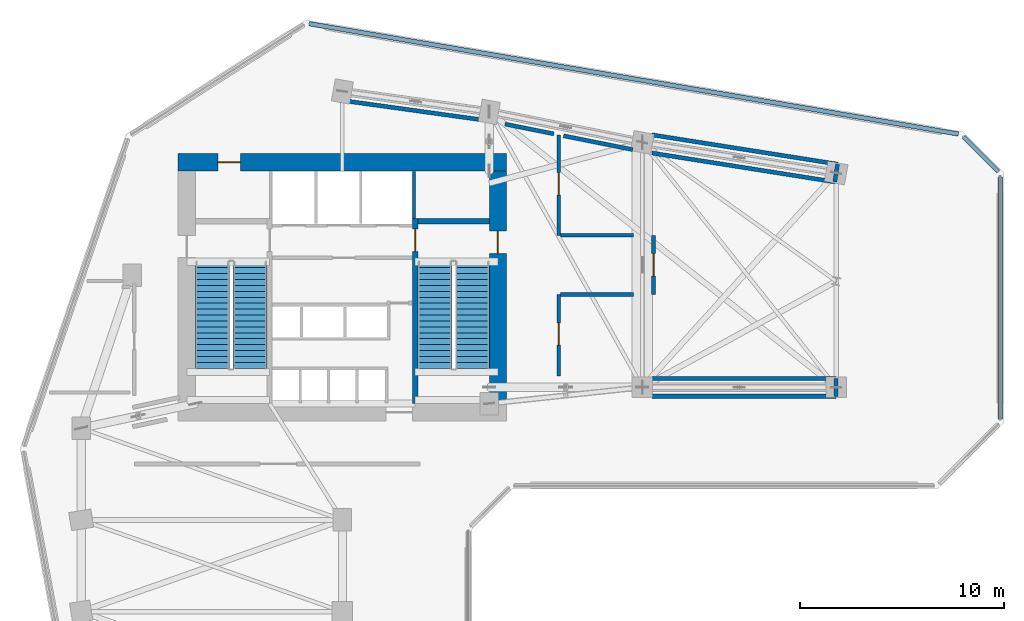
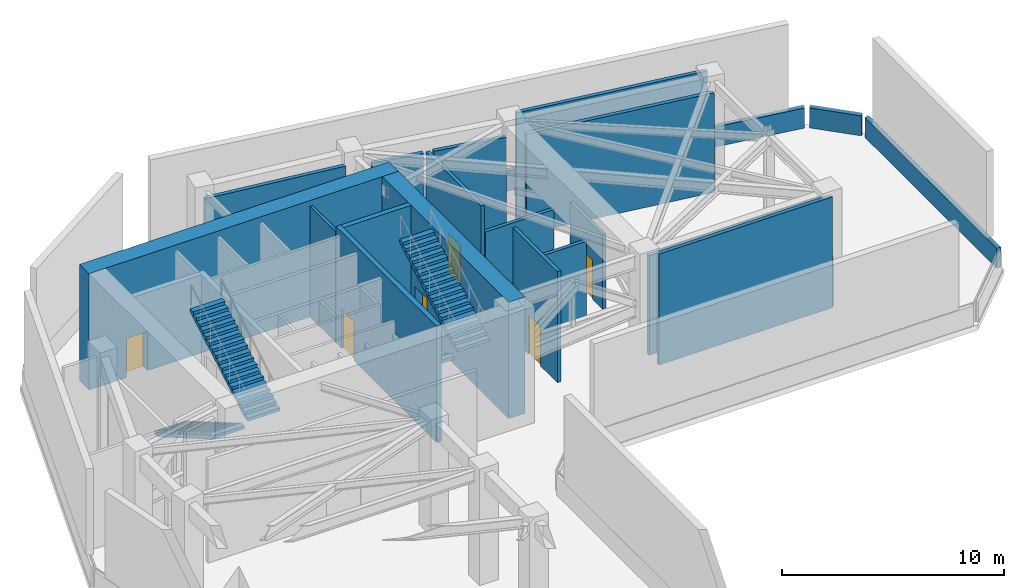
# One storey, part 7 of 10: 22 walls, 6 doors, 4 stair flights, 6 openings, 2 elements without a shape of their own.
"""IFC4 building model written with IfcOpenShell, lengths in metres."""

from ifc_helpers import new_model, si_unit, direction, frame, frame_2d, origin, place, context, subcontext, project, spatial, polyline, rectangle, outline, extrude, source, transform, mapped, material, layer, layer_set, type_object, element, fill, aggregate, save


model = new_model("IFC4")

# Units and contexts
model_context = context("Model", 3, precision=1e-05, world=origin(), true_north=direction((0.0, 1.0)))
body_context = subcontext(model_context, "Body", "Model", "MODEL_VIEW")
ifc_project = project(units=[si_unit("LENGTHUNIT", "METRE"), si_unit("AREAUNIT", "SQUARE_METRE"), si_unit("VOLUMEUNIT", "CUBIC_METRE"), si_unit("PLANEANGLEUNIT", "RADIAN"), si_unit("MASSUNIT", "GRAM", prefix="KILO")], contexts=[model_context])

# Site, building, storey
site_placement = place(None, origin())
site = spatial("IfcSite", under=ifc_project, at=site_placement, CompositionType="ELEMENT")
building_placement = place(site_placement, origin())
building = spatial("IfcBuilding", under=site, at=building_placement, Name="Calvemar Wedge Station Tower", CompositionType="ELEMENT")
storey_placement = place(building_placement, frame((0.0, 0.0, 99.0)))
storey = spatial("IfcBuildingStorey", under=building, at=storey_placement, Name="L24", CompositionType="ELEMENT", Elevation=99.0)

# Wall, opening, door
ifc_material_1 = material(Name="Concrete C50", Category="concrete")
ifc_layer_1 = layer(ifc_material_1, 0.260009765625)
ifc_layer_set_1 = layer_set([ifc_layer_1], Name="Concrete C50")
wall_type_1 = type_object("IfcWallType", Name="SW-CORE-260", PredefinedType="SHEAR", material=ifc_layer_set_1)
wall_1_placement = place(storey_placement, frame((27.3701171875, 34.199951171875, 0.0), z_axis=(0.0, 0.0, 1.0), x_axis=(0.0, 1.0, 0.0)))
wall_1 = element("IfcWall", 1, at=wall_1_placement, inside=storey, type_object=wall_type_1, Name="Storey L24 Core Shear Wall SPINE-E", PredefinedType="SHEAR", context=body_context, shape_type="SweptSolid", body=[
    extrude(rectangle(XDim=9.06005859375, YDim=0.260009765625, at=frame_2d((4.530029296875, 0.0))), origin(), (0.0, 0.0, 1.0), 6.39990234375),
])
shared_shape_1 = source(origin(), body_context, "Body", "SweptSolid", [
    extrude(rectangle(XDim=1.10009765625, YDim=2.14990234375, at=frame_2d((0.550048828125, 1.074951171875))), frame((0.0, 0.14013671875, 0.0), z_axis=(0.0, -1.0, 0.0), x_axis=(1.0, 0.0, 0.0)), (0.0, 0.0, 1.0), 0.280029296875),
])
opening_1_placement = place(wall_1_placement, frame((7.449951171875, 0.0, 0.0)))
opening_1 = element("IfcOpeningElement", 2, at=opening_1_placement, cuts=wall_1, Name="Opening FD-90", PredefinedType="OPENING", context=body_context, shape_type="MappedRepresentation", body=[
    mapped(shared_shape_1, transform((0.0, 0.0, 0.0), scale=1.0)),
])
ifc_material_2 = material(Name="Galvanized fire-rated steel door leaf P-90", Category="steel")
door_type = type_object("IfcDoorType", Name="DR-FD90-1100", OperationType="NOTDEFINED", PredefinedType="DOOR", material=ifc_material_2)
shared_shape_2 = source(origin(), body_context, "Body", "SweptSolid", [
    extrude(rectangle(XDim=1.10009765625, YDim=2.14990234375, at=frame_2d((0.550048828125, 1.074951171875))), frame((0.0, 0.02490234375, 0.0), z_axis=(0.0, -1.0, 0.0), x_axis=(1.0, 0.0, 0.0)), (0.0, 0.0, 1.0), 0.050048828125),
])
door_1_placement = place(opening_1_placement, origin())
door_1 = element("IfcDoor", 3, at=door_1_placement, inside=storey, type_object=door_type, Name="L24 FF Lobby to Stair ST-C2 Door", OperationType="SINGLE_SWING_LEFT", OverallHeight=2.14990234375, OverallWidth=1.10009765625, PredefinedType="DOOR", context=body_context, shape_type="MappedRepresentation", body=[
    mapped(shared_shape_2, transform((0.0, 0.0, 0.0), scale=1.0)),
])
fill(opening_1, door_1)

# Wall
wall_2_placement = place(storey_placement, frame((27.5, 43.1298828125, 0.0), z_axis=(0.0, 0.0, 1.0), x_axis=(1.0, 0.0, 0.0)))
element("IfcWall", 4, at=wall_2_placement, inside=storey, type_object=wall_type_1, Name="Storey L24 Core Shear Wall STC2-N", PredefinedType="SHEAR", context=body_context, shape_type="SweptSolid", body=[
    extrude(rectangle(XDim=3.5, YDim=0.260009765625, at=frame_2d((1.75, 0.0))), origin(), (0.0, 0.0, 1.0), 6.39990234375),
])

# Wall, opening, door
ifc_material_3 = material(Name="Concrete C80", Category="concrete")
ifc_layer_2 = layer(ifc_material_3, 0.85009765625)
ifc_layer_set_2 = layer_set([ifc_layer_2], Name="Concrete C80")
wall_type_2 = type_object("IfcWallType", Name="SW-CORE-850", PredefinedType="SHEAR", material=ifc_layer_set_2)
wall_3_placement = place(storey_placement, frame((15.75, 46.02490234375, 0.0), z_axis=(0.0, 0.0, 1.0), x_axis=(1.0, 0.0, 0.0)))
wall_3 = element("IfcWall", 5, at=wall_3_placement, inside=storey, type_object=wall_type_2, Name="Storey L24 Core Shear Wall N", PredefinedType="SHEAR", context=body_context, shape_type="SweptSolid", body=[
    extrude(rectangle(XDim=16.10009765625, YDim=0.85009765625, at=frame_2d((8.050048828125, 0.0))), origin(), (0.0, 0.0, 1.0), 6.39990234375),
])
shared_shape_3 = source(origin(), body_context, "Body", "SweptSolid", [
    extrude(rectangle(XDim=1.10009765625, YDim=2.14990234375, at=frame_2d((0.550048828125, 1.074951171875))), frame((0.0, 0.43505859375, 0.0), z_axis=(0.0, -1.0, 0.0), x_axis=(1.0, 0.0, 0.0)), (0.0, 0.0, 1.0), 0.8701171875),
])
opening_2_placement = place(wall_3_placement, frame((1.949951171875, 0.0, 0.0)))
opening_2 = element("IfcOpeningElement", 6, at=opening_2_placement, cuts=wall_3, Name="Opening FD-90", PredefinedType="OPENING", context=body_context, shape_type="MappedRepresentation", body=[
    mapped(shared_shape_3, transform((0.0, 0.0, 0.0), scale=1.0)),
])
door_2_placement = place(opening_2_placement, origin())
door_2 = element("IfcDoor", 7, at=door_2_placement, inside=storey, type_object=door_type, Name="L24 North Corridor to Firefighting Lobby Door", OperationType="SINGLE_SWING_RIGHT", OverallHeight=2.14990234375, OverallWidth=1.10009765625, PredefinedType="DOOR", context=body_context, shape_type="MappedRepresentation", body=[
    mapped(shared_shape_2, transform((0.0, 0.0, 0.0), scale=1.0)),
])
fill(opening_2, door_2)

wall_4_placement = place(storey_placement, frame((31.425048828125, 34.199951171875, 0.0), z_axis=(0.0, 0.0, 1.0), x_axis=(0.0, 1.0, 0.0)))
wall_4 = element("IfcWall", 8, at=wall_4_placement, inside=storey, type_object=wall_type_2, Name="Storey L24 Core Shear Wall E", PredefinedType="SHEAR", context=body_context, shape_type="SweptSolid", body=[
    extrude(rectangle(XDim=11.400146484375, YDim=0.85009765625, at=frame_2d((5.7001953125, 0.0))), origin(), (0.0, 0.0, 1.0), 6.39990234375),
])
opening_3_placement = place(wall_4_placement, frame((7.35009765625, 0.0, 0.0)))
opening_3 = element("IfcOpeningElement", 9, at=opening_3_placement, cuts=wall_4, Name="Opening FD-90", PredefinedType="OPENING", context=body_context, shape_type="MappedRepresentation", body=[
    mapped(shared_shape_3, transform((0.0, 0.0, 0.0), scale=1.0)),
])
door_3_placement = place(opening_3_placement, origin())
door_3 = element("IfcDoor", 10, at=door_3_placement, inside=storey, type_object=door_type, Name="L24 East Corridor to Exit Stair ST-C2 Door", OperationType="SINGLE_SWING_LEFT", OverallHeight=2.14990234375, OverallWidth=1.10009765625, PredefinedType="DOOR", context=body_context, shape_type="MappedRepresentation", body=[
    mapped(shared_shape_2, transform((0.0, 0.0, 0.0), scale=1.0)),
])
fill(opening_3, door_3)

ifc_material_4 = material(Name="Double-stud fire-rated corridor partition")
ifc_layer_3 = layer(ifc_material_4, 0.179931640625)
ifc_layer_set_3 = layer_set([ifc_layer_3], Name="Double-stud fire-rated corridor partition")
wall_type_3 = type_object("IfcWallType", Name="W-CORR-180", PredefinedType="PARTITIONING", material=ifc_layer_set_3)
wall_5_placement = place(storey_placement, frame((34.39990234375, 47.371337890625, 0.0), z_axis=(0.0, 0.0, 1.0), x_axis=(0.0, -1.0, 0.0)))
wall_5 = element("IfcWall", 11, at=wall_5_placement, inside=storey, type_object=wall_type_3, Name="Storey L24 Interior Partition WL-L24-005", PredefinedType="PARTITIONING", context=body_context, shape_type="SweptSolid", body=[
    extrude(rectangle(XDim=4.92138671875, YDim=0.179931640625, at=frame_2d((2.460693359375, 0.0))), origin(), (0.0, 0.0, 1.0), 5.5380859375),
])
shared_shape_4 = source(origin(), body_context, "Body", "SweptSolid", [
    extrude(rectangle(XDim=1.10009765625, YDim=2.14990234375, at=frame_2d((0.550048828125, 1.074951171875))), frame((0.0, 0.10009765625, 0.0), z_axis=(0.0, -1.0, 0.0), x_axis=(1.0, 0.0, 0.0)), (0.0, 0.0, 1.0), 0.199951171875),
])
opening_4_placement = place(wall_5_placement, frame((1.850341796875, 0.0, 0.0)))
opening_4 = element("IfcOpeningElement", 12, at=opening_4_placement, cuts=wall_5, Name="Opening FD-90", PredefinedType="OPENING", context=body_context, shape_type="MappedRepresentation", body=[
    mapped(shared_shape_4, transform((0.0, 0.0, 0.0), scale=1.0)),
])
door_4_placement = place(opening_4_placement, origin())
door_4 = element("IfcDoor", 13, at=door_4_placement, inside=storey, type_object=door_type, Name="L24 Intermediate Booster Pump Room Door", OperationType="SINGLE_SWING_RIGHT", OverallHeight=2.14990234375, OverallWidth=1.10009765625, PredefinedType="DOOR", context=body_context, shape_type="MappedRepresentation", body=[
    mapped(shared_shape_2, transform((0.0, 0.0, 0.0), scale=1.0)),
])
fill(opening_4, door_4)

# Wall
wall_6_placement = place(storey_placement, frame((34.493896484375, 42.449951171875, 0.0), z_axis=(0.0, 0.0, 1.0), x_axis=(1.0, 0.0, 0.0)))
element("IfcWall", 14, at=wall_6_placement, inside=storey, type_object=wall_type_3, Name="Storey L24 Interior Partition WL-L24-006", PredefinedType="PARTITIONING", context=body_context, shape_type="SweptSolid", body=[
    extrude(rectangle(XDim=3.580810546875, YDim=0.179931640625, at=frame_2d((1.79052734375, 0.0))), origin(), (0.0, 0.0, 1.0), 4.092041015625),
])

# Wall, opening, door
wall_7_placement = place(storey_placement, frame((34.39990234375, 39.550048828125, 0.0), z_axis=(0.0, 0.0, 1.0), x_axis=(0.0, -1.0, 0.0)))
wall_7 = element("IfcWall", 15, at=wall_7_placement, inside=storey, type_object=wall_type_3, Name="Storey L24 Interior Partition WL-L24-007", PredefinedType="PARTITIONING", context=body_context, shape_type="SweptSolid", body=[
    extrude(rectangle(XDim=4.0, YDim=0.179931640625, at=frame_2d((2.0, 0.0))), origin(), (0.0, 0.0, 1.0), 6.10009765625),
])
opening_5_placement = place(wall_7_placement, frame((1.388427734375, 0.0, 0.0)))
opening_5 = element("IfcOpeningElement", 16, at=opening_5_placement, cuts=wall_7, Name="Opening FD-90", PredefinedType="OPENING", context=body_context, shape_type="MappedRepresentation", body=[
    mapped(shared_shape_4, transform((0.0, 0.0, 0.0), scale=1.0)),
])
door_5_placement = place(opening_5_placement, origin())
door_5 = element("IfcDoor", 17, at=door_5_placement, inside=storey, type_object=door_type, Name="L24 Zone Electrical Substation Door", OperationType="SINGLE_SWING_LEFT", OverallHeight=2.14990234375, OverallWidth=1.10009765625, PredefinedType="DOOR", context=body_context, shape_type="MappedRepresentation", body=[
    mapped(shared_shape_2, transform((0.0, 0.0, 0.0), scale=1.0)),
])
fill(opening_5, door_5)

# Wall
wall_8_placement = place(storey_placement, frame((38.07470703125, 39.550048828125, 0.0), z_axis=(0.0, 0.0, 1.0), x_axis=(-1.0, 0.0, 0.0)))
element("IfcWall", 18, at=wall_8_placement, inside=storey, type_object=wall_type_3, Name="Storey L24 Interior Partition WL-L24-008", PredefinedType="PARTITIONING", context=body_context, shape_type="SweptSolid", body=[
    extrude(rectangle(XDim=3.580810546875, YDim=0.179931640625, at=frame_2d((1.79052734375, 0.0))), origin(), (0.0, 0.0, 1.0), 4.092041015625),
])

# Wall, opening, door
wall_9_placement = place(storey_placement, frame((39.050048828125, 42.449951171875, 0.0), z_axis=(0.0, 0.0, 1.0), x_axis=(0.0, -1.0, 0.0)))
wall_9 = element("IfcWall", 19, at=wall_9_placement, inside=storey, type_object=wall_type_3, Name="Storey L24 Interior Partition WL-L24-009", PredefinedType="PARTITIONING", context=body_context, shape_type="SweptSolid", body=[
    extrude(rectangle(XDim=2.89990234375, YDim=0.179931640625, at=frame_2d((1.449951171875, 0.0))), origin(), (0.0, 0.0, 1.0), 4.092041015625),
])
opening_6_placement = place(wall_9_placement, frame((0.89990234375, 0.0, 0.0)))
opening_6 = element("IfcOpeningElement", 20, at=opening_6_placement, cuts=wall_9, Name="Opening FD-90", PredefinedType="OPENING", context=body_context, shape_type="MappedRepresentation", body=[
    mapped(shared_shape_4, transform((0.0, 0.0, 0.0), scale=1.0)),
])
door_6_placement = place(opening_6_placement, origin())
door_6 = element("IfcDoor", 21, at=door_6_placement, inside=storey, type_object=door_type, Name="L24 Zone Air Handling Plant Room Door", OperationType="SINGLE_SWING_RIGHT", OverallHeight=2.14990234375, OverallWidth=1.10009765625, PredefinedType="DOOR", context=body_context, shape_type="MappedRepresentation", body=[
    mapped(shared_shape_2, transform((0.0, 0.0, 0.0), scale=1.0)),
])
fill(opening_6, door_6)

# Walls
ifc_material_5 = material(Name="Reinforced concrete blockwork lift shaft wall", Category="masonry")
ifc_layer_4 = layer(ifc_material_5, 0.139892578125)
ifc_layer_set_4 = layer_set([ifc_layer_4], Name="Reinforced concrete blockwork lift shaft wall")
wall_type_4 = type_object("IfcWallType", Name="W-LIFT-160", PredefinedType="SOLIDWALL", material=ifc_layer_set_4)
wall_10_placement = place(storey_placement, frame((27.31005859375, 43.280029296875, 0.0), z_axis=(0.0, 0.0, 1.0), x_axis=(0.0, 1.0, 0.0)))
element("IfcWall", 22, at=wall_10_placement, inside=storey, type_object=wall_type_4, Name="Storey L24 Firefighting Lift Shaft Enclosure Wall E", PredefinedType="SOLIDWALL", context=body_context, shape_type="SweptSolid", body=[
    extrude(rectangle(XDim=2.300048828125, YDim=0.139892578125, at=frame_2d((1.14990234375, 0.0))), origin(), (0.0, 0.0, 1.0), 6.10009765625),
])
ifc_material_6 = material(Name="Precast concrete C45", Category="concrete")
ifc_layer_5 = layer(ifc_material_6, 0.219970703125)
ifc_layer_set_5 = layer_set([ifc_layer_5], Name="Precast concrete C45")
wall_type_5 = type_object("IfcWallType", Name="W-PARA-220", PredefinedType="PARAPET", material=ifc_layer_set_5)
wall_11_placement = place(storey_placement, frame((56.050048828125, 33.440185546875, 0.0), z_axis=(0.0, 0.0, 1.0), x_axis=(0.0, 1.0, 0.0)))
element("IfcWall", 23, at=wall_11_placement, inside=storey, type_object=wall_type_5, Name="Wind Floor L24 Acoustic Curb Wall 8", PredefinedType="PARAPET", context=body_context, shape_type="SweptSolid", body=[
    extrude(rectangle(XDim=11.875732421875, YDim=0.219970703125, at=frame_2d((5.93798828125, 0.0))), origin(), (0.0, 0.0, 1.0), 1.10009765625),
])
wall_12_placement = place(storey_placement, frame((55.94384765625, 45.572021484375, 0.0), z_axis=(0.0, 0.0, 1.0), x_axis=(-0.707106781187, 0.707106781187, 0.0)))
element("IfcWall", 24, at=wall_12_placement, inside=storey, type_object=wall_type_5, Name="Wind Floor L24 Acoustic Curb Wall 9", PredefinedType="PARAPET", context=body_context, shape_type="SweptSolid", body=[
    extrude(rectangle(XDim=2.418212890625, YDim=0.219970703125, at=frame_2d((1.208984375, 0.0))), origin(), (0.0, 0.0, 1.0), 1.10009765625),
])
wall_13_placement = place(storey_placement, frame((53.97998046875, 47.413330078125, 0.0), z_axis=(0.0, 0.0, 1.0), x_axis=(-0.985866074369, 0.167535319884, 0.0)))
element("IfcWall", 25, at=wall_13_placement, inside=storey, type_object=wall_type_5, Name="Wind Floor L24 Acoustic Curb Wall 10", PredefinedType="PARAPET", context=body_context, shape_type="SweptSolid", body=[
    extrude(rectangle(XDim=32.256103515625, YDim=0.219970703125, at=frame_2d((16.1279296875, 0.0))), origin(), (0.0, 0.0, 1.0), 1.10009765625),
])
ifc_material_7 = material(Name="Concrete blockwork and fireboard shaft wall", Category="masonry")
ifc_layer_6 = layer(ifc_material_7, 0.199951171875)
ifc_layer_set_6 = layer_set([ifc_layer_6], Name="Concrete blockwork and fireboard shaft wall")
wall_type_6 = type_object("IfcWallType", Name="W-SHAFT-200", PredefinedType="SOLIDWALL", material=ifc_layer_set_6)
wall_14_placement = place(storey_placement, frame((30.530029296875, 48.12109375, 0.0), z_axis=(0.0, 0.0, 1.0), x_axis=(-0.990492542754, 0.137566430311, 0.0)))
element("IfcWall", 26, at=wall_14_placement, inside=storey, type_object=wall_type_6, Name="Storey L24 Fire-Rated Truss Casing Wall WL-L24-015", PredefinedType="SOLIDWALL", context=body_context, shape_type="SweptSolid", body=[
    extrude(rectangle(XDim=6.855712890625, YDim=0.199951171875, at=frame_2d((3.427734375, 0.0))), origin(), (0.0, 0.0, 1.0), 5.68505859375),
])
wall_15_placement = place(storey_placement, frame((38.030029296875, 46.645263671875, 0.0), z_axis=(0.0, 0.0, 1.0), x_axis=(-0.980583391624, 0.196102554986, 0.0)))
element("IfcWall", 27, at=wall_15_placement, inside=storey, type_object=wall_type_6, Name="Storey L24 Fire-Rated Truss Casing Wall WL-L24-016", PredefinedType="SOLIDWALL", context=body_context, shape_type="SweptSolid", body=[
    extrude(rectangle(XDim=3.457275390625, YDim=0.199951171875, at=frame_2d((1.728515625, 0.0))), origin(), (0.0, 0.0, 1.0), 5.5380859375),
])
wall_16_placement = place(storey_placement, frame((34.164794921875, 47.41845703125, 0.0), z_axis=(0.0, 0.0, 1.0), x_axis=(-0.980592215894, 0.196058425293, 0.0)))
element("IfcWall", 28, at=wall_16_placement, inside=storey, type_object=wall_type_6, Name="Storey L24 Fire-Rated Truss Casing Wall WL-L24-017", PredefinedType="SOLIDWALL", context=body_context, shape_type="SweptSolid", body=[
    extrude(rectangle(XDim=2.440673828125, YDim=0.199951171875, at=frame_2d((1.22021484375, 0.0))), origin(), (0.0, 0.0, 1.0), 5.5380859375),
])
wall_17_placement = place(storey_placement, frame((48.068603515625, 45.9345703125, 0.0), z_axis=(0.0, 0.0, 1.0), x_axis=(-0.155934077232, -0.987767464314, 0.0)))
element("IfcWall", 29, at=wall_17_placement, inside=storey, type_object=wall_type_6, Name="Storey L24 Fire-Rated Truss Casing Wall WL-L24-018", PredefinedType="SOLIDWALL", context=body_context, shape_type="SweptSolid", body=[
    extrude(rectangle(XDim=0.8798828125, YDim=0.199951171875, at=frame_2d((0.43994140625, 0.0))), origin(), (0.0, 0.0, 1.0), 2.741943359375),
])
wall_18_placement = place(storey_placement, frame((47.931396484375, 45.0654296875, 0.0), z_axis=(0.0, 0.0, 1.0), x_axis=(-0.987762528886, 0.15596533759, 0.0)))
element("IfcWall", 30, at=wall_18_placement, inside=storey, type_object=wall_type_6, Name="Storey L24 Fire-Rated Truss Casing Wall WL-L24-019", PredefinedType="SOLIDWALL", context=body_context, shape_type="SweptSolid", body=[
    extrude(rectangle(XDim=9.0712890625, YDim=0.199951171875, at=frame_2d((4.53564453125, 0.0))), origin(), (0.0, 0.0, 1.0), 5.47509765625),
])
wall_19_placement = place(storey_placement, frame((38.969970703125, 47.37109375, 0.0), z_axis=(0.0, 0.0, 1.0), x_axis=(0.987764684471, -0.155951685184, 0.0)))
element("IfcWall", 31, at=wall_19_placement, inside=storey, type_object=wall_type_6, Name="Storey L24 Fire-Rated Truss Casing Wall WL-L24-020", PredefinedType="SOLIDWALL", context=body_context, shape_type="SweptSolid", body=[
    extrude(rectangle(XDim=9.21142578125, YDim=0.199951171875, at=frame_2d((4.605712890625, 0.0))), origin(), (0.0, 0.0, 1.0), 6.10009765625),
])
wall_20_placement = place(storey_placement, frame((48.0, 35.43994140625, 0.0), z_axis=(0.0, 0.0, 1.0), x_axis=(0.0, -1.0, 0.0)))
element("IfcWall", 32, at=wall_20_placement, inside=storey, type_object=wall_type_6, Name="Storey L24 Fire-Rated Truss Casing Wall WL-L24-021", PredefinedType="SOLIDWALL", context=body_context, shape_type="SweptSolid", body=[
    extrude(rectangle(XDim=0.8798828125, YDim=0.199951171875, at=frame_2d((0.43994140625, 0.0))), origin(), (0.0, 0.0, 1.0), 2.741943359375),
])
wall_21_placement = place(storey_placement, frame((48.0, 34.56005859375, 0.0), z_axis=(0.0, 0.0, 1.0), x_axis=(-1.0, 0.0, 0.0)))
element("IfcWall", 33, at=wall_21_placement, inside=storey, type_object=wall_type_6, Name="Storey L24 Fire-Rated Truss Casing Wall WL-L24-022", PredefinedType="SOLIDWALL", context=body_context, shape_type="SweptSolid", body=[
    extrude(rectangle(XDim=9.030029296875, YDim=0.199951171875, at=frame_2d((4.51513671875, 0.0))), origin(), (0.0, 0.0, 1.0), 6.10009765625),
])
wall_22_placement = place(storey_placement, frame((38.969970703125, 35.43994140625, 0.0), z_axis=(0.0, 0.0, 1.0), x_axis=(1.0, 0.0, 0.0)))
element("IfcWall", 34, at=wall_22_placement, inside=storey, type_object=wall_type_6, Name="Storey L24 Fire-Rated Truss Casing Wall WL-L24-023", PredefinedType="SOLIDWALL", context=body_context, shape_type="SweptSolid", body=[
    extrude(rectangle(XDim=9.030029296875, YDim=0.199951171875, at=frame_2d((4.51513671875, 0.0))), origin(), (0.0, 0.0, 1.0), 5.47509765625),
])

# Stair, stair flights
ifc_material_8 = material(Name="Concrete C45", Category="concrete")
stair_type = type_object("IfcStairType", Name="ST-TYPE-6400", PredefinedType="HALF_TURN_STAIR", material=ifc_material_8)
stair_1_placement = place(storey_placement, origin())
stair_1 = element("IfcStair", 35, at=stair_1_placement, inside=storey, type_object=stair_type, Name="L24 Pressurized Core Exit Stair ST-C1", PredefinedType="HALF_TURN_STAIR")
stair_flight_type = type_object("IfcStairFlightType", Name="STF-TYPE-6400", PredefinedType="STRAIGHT", material=ifc_material_8)
stair_flight_1_placement = place(storey_placement, frame((17.429931640625, 41.14990234375, 0.0), z_axis=(0.0, 0.0, 1.0), x_axis=(0.0, -1.0, 0.0)))
stair_flight_1 = element("IfcStairFlight", 36, at=stair_flight_1_placement, type_object=stair_flight_type, Name="ST-C1 flight 1", NumberOfRisers=19, NumberOfTreads=18, PredefinedType="STRAIGHT", RiserHeight=0.168421053, TreadLength=0.29, context=body_context, shape_type="SweptSolid", body=[
    extrude(outline(polyline([(0.0, 0.0), (0.0, 0.16845703125), (0.2900390625, 0.16845703125), (0.2900390625, 0.3369140625), (0.580078125, 0.3369140625), (0.580078125, 0.50537109375), (0.8701171875, 0.50537109375), (0.8701171875, 0.673583984375), (1.159912109375, 0.673583984375), (1.159912109375, 0.842041015625), (1.449951171875, 0.842041015625), (1.449951171875, 1.010498046875), (1.739990234375, 1.010498046875), (1.739990234375, 1.178955078125), (2.030029296875, 1.178955078125), (2.030029296875, 1.347412109375), (2.320068359375, 1.347412109375), (2.320068359375, 1.515869140625), (2.610107421875, 1.515869140625), (2.610107421875, 1.684326171875), (2.89990234375, 1.684326171875), (2.89990234375, 1.8525390625), (3.18994140625, 1.8525390625), (3.18994140625, 2.02099609375), (3.47998046875, 2.02099609375), (3.47998046875, 2.189453125), (3.77001953125, 2.189453125), (3.77001953125, 2.35791015625), (4.06005859375, 2.35791015625), (4.06005859375, 2.5263671875), (4.35009765625, 2.5263671875), (4.35009765625, 2.69482421875), (4.639892578125, 2.69482421875), (4.639892578125, 2.863037109375), (4.929931640625, 2.863037109375), (4.929931640625, 3.031494140625), (5.219970703125, 3.031494140625), (5.219970703125, 3.199951171875), (5.219970703125, 2.858154296875), (0.298583984375, 0.0), (0.0, 0.0)])), frame((0.0, 0.830078125, 0.0), z_axis=(0.0, -1.0, 0.0), x_axis=(1.0, 0.0, 0.0)), (0.0, 0.0, 1.0), 1.659912109375),
])
stair_flight_2_placement = place(storey_placement, frame((19.27001953125, 35.929931640625, 3.199951171875), z_axis=(0.0, 0.0, 1.0), x_axis=(0.0, 1.0, 0.0)))
stair_flight_2 = element("IfcStairFlight", 37, at=stair_flight_2_placement, type_object=stair_flight_type, Name="ST-C1 flight 2", NumberOfRisers=19, NumberOfTreads=18, PredefinedType="STRAIGHT", RiserHeight=0.168421053, TreadLength=0.29, context=body_context, shape_type="SweptSolid", body=[
    extrude(outline(polyline([(0.0, 0.0), (0.0, 0.16845703125), (0.2900390625, 0.16845703125), (0.2900390625, 0.3369140625), (0.580078125, 0.3369140625), (0.580078125, 0.50537109375), (0.8701171875, 0.50537109375), (0.8701171875, 0.673583984375), (1.159912109375, 0.673583984375), (1.159912109375, 0.842041015625), (1.449951171875, 0.842041015625), (1.449951171875, 1.010498046875), (1.739990234375, 1.010498046875), (1.739990234375, 1.178955078125), (2.030029296875, 1.178955078125), (2.030029296875, 1.347412109375), (2.320068359375, 1.347412109375), (2.320068359375, 1.515869140625), (2.610107421875, 1.515869140625), (2.610107421875, 1.684326171875), (2.89990234375, 1.684326171875), (2.89990234375, 1.8525390625), (3.18994140625, 1.8525390625), (3.18994140625, 2.02099609375), (3.47998046875, 2.02099609375), (3.47998046875, 2.189453125), (3.77001953125, 2.189453125), (3.77001953125, 2.35791015625), (4.06005859375, 2.35791015625), (4.06005859375, 2.5263671875), (4.35009765625, 2.5263671875), (4.35009765625, 2.69482421875), (4.639892578125, 2.69482421875), (4.639892578125, 2.863037109375), (4.929931640625, 2.863037109375), (4.929931640625, 3.031494140625), (5.219970703125, 3.031494140625), (5.219970703125, 3.199951171875), (5.219970703125, 2.858154296875), (0.298583984375, 0.0), (0.0, 0.0)])), frame((0.0, 0.830078125, 0.0), z_axis=(0.0, -1.0, 0.0), x_axis=(1.0, 0.0, 0.0)), (0.0, 0.0, 1.0), 1.659912109375),
])
aggregate(stair_1, [stair_flight_1, stair_flight_2])

stair_2_placement = place(storey_placement, origin())
stair_2 = element("IfcStair", 38, at=stair_2_placement, inside=storey, type_object=stair_type, Name="L24 Pressurized Core Exit Stair ST-C2", PredefinedType="HALF_TURN_STAIR")
stair_flight_3_placement = place(storey_placement, frame((28.330078125, 41.14990234375, 0.0), z_axis=(0.0, 0.0, 1.0), x_axis=(0.0, -1.0, 0.0)))
stair_flight_3 = element("IfcStairFlight", 39, at=stair_flight_3_placement, type_object=stair_flight_type, Name="ST-C2 flight 1", NumberOfRisers=19, NumberOfTreads=18, PredefinedType="STRAIGHT", RiserHeight=0.168421053, TreadLength=0.29, context=body_context, shape_type="SweptSolid", body=[
    extrude(outline(polyline([(0.0, 0.0), (0.0, 0.16845703125), (0.2900390625, 0.16845703125), (0.2900390625, 0.3369140625), (0.580078125, 0.3369140625), (0.580078125, 0.50537109375), (0.8701171875, 0.50537109375), (0.8701171875, 0.673583984375), (1.159912109375, 0.673583984375), (1.159912109375, 0.842041015625), (1.449951171875, 0.842041015625), (1.449951171875, 1.010498046875), (1.739990234375, 1.010498046875), (1.739990234375, 1.178955078125), (2.030029296875, 1.178955078125), (2.030029296875, 1.347412109375), (2.320068359375, 1.347412109375), (2.320068359375, 1.515869140625), (2.610107421875, 1.515869140625), (2.610107421875, 1.684326171875), (2.89990234375, 1.684326171875), (2.89990234375, 1.8525390625), (3.18994140625, 1.8525390625), (3.18994140625, 2.02099609375), (3.47998046875, 2.02099609375), (3.47998046875, 2.189453125), (3.77001953125, 2.189453125), (3.77001953125, 2.35791015625), (4.06005859375, 2.35791015625), (4.06005859375, 2.5263671875), (4.35009765625, 2.5263671875), (4.35009765625, 2.69482421875), (4.639892578125, 2.69482421875), (4.639892578125, 2.863037109375), (4.929931640625, 2.863037109375), (4.929931640625, 3.031494140625), (5.219970703125, 3.031494140625), (5.219970703125, 3.199951171875), (5.219970703125, 2.858154296875), (0.298583984375, 0.0), (0.0, 0.0)])), frame((0.0, 0.830078125, 0.0), z_axis=(0.0, -1.0, 0.0), x_axis=(1.0, 0.0, 0.0)), (0.0, 0.0, 1.0), 1.659912109375),
])
stair_flight_4_placement = place(storey_placement, frame((30.169921875, 35.929931640625, 3.199951171875), z_axis=(0.0, 0.0, 1.0), x_axis=(0.0, 1.0, 0.0)))
stair_flight_4 = element("IfcStairFlight", 40, at=stair_flight_4_placement, type_object=stair_flight_type, Name="ST-C2 flight 2", NumberOfRisers=19, NumberOfTreads=18, PredefinedType="STRAIGHT", RiserHeight=0.168421053, TreadLength=0.29, context=body_context, shape_type="SweptSolid", body=[
    extrude(outline(polyline([(0.0, 0.0), (0.0, 0.16845703125), (0.2900390625, 0.16845703125), (0.2900390625, 0.3369140625), (0.580078125, 0.3369140625), (0.580078125, 0.50537109375), (0.8701171875, 0.50537109375), (0.8701171875, 0.673583984375), (1.159912109375, 0.673583984375), (1.159912109375, 0.842041015625), (1.449951171875, 0.842041015625), (1.449951171875, 1.010498046875), (1.739990234375, 1.010498046875), (1.739990234375, 1.178955078125), (2.030029296875, 1.178955078125), (2.030029296875, 1.347412109375), (2.320068359375, 1.347412109375), (2.320068359375, 1.515869140625), (2.610107421875, 1.515869140625), (2.610107421875, 1.684326171875), (2.89990234375, 1.684326171875), (2.89990234375, 1.8525390625), (3.18994140625, 1.8525390625), (3.18994140625, 2.02099609375), (3.47998046875, 2.02099609375), (3.47998046875, 2.189453125), (3.77001953125, 2.189453125), (3.77001953125, 2.35791015625), (4.06005859375, 2.35791015625), (4.06005859375, 2.5263671875), (4.35009765625, 2.5263671875), (4.35009765625, 2.69482421875), (4.639892578125, 2.69482421875), (4.639892578125, 2.863037109375), (4.929931640625, 2.863037109375), (4.929931640625, 3.031494140625), (5.219970703125, 3.031494140625), (5.219970703125, 3.199951171875), (5.219970703125, 2.858154296875), (0.298583984375, 0.0), (0.0, 0.0)])), frame((0.0, 0.830078125, 0.0), z_axis=(0.0, -1.0, 0.0), x_axis=(1.0, 0.0, 0.0)), (0.0, 0.0, 1.0), 1.659912109375),
])
aggregate(stair_2, [stair_flight_3, stair_flight_4])

save(model, "model.ifc")
